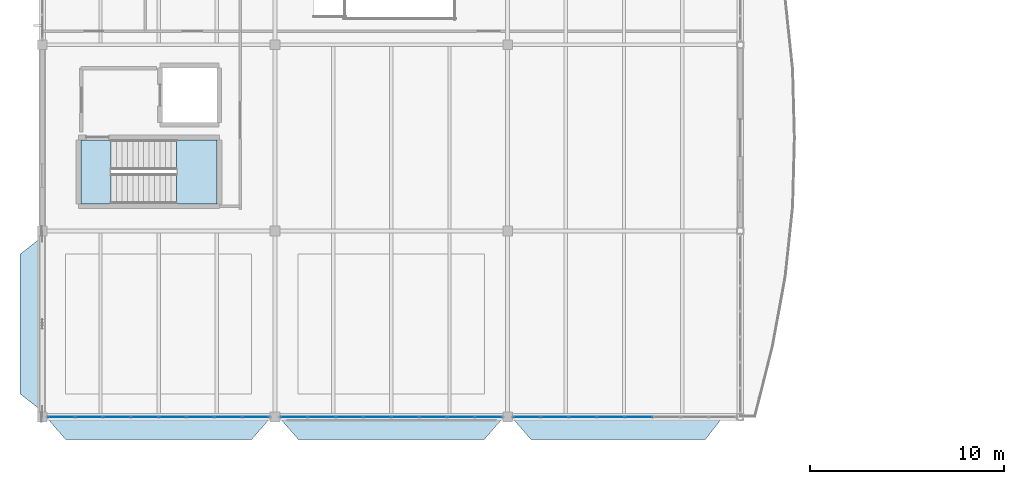
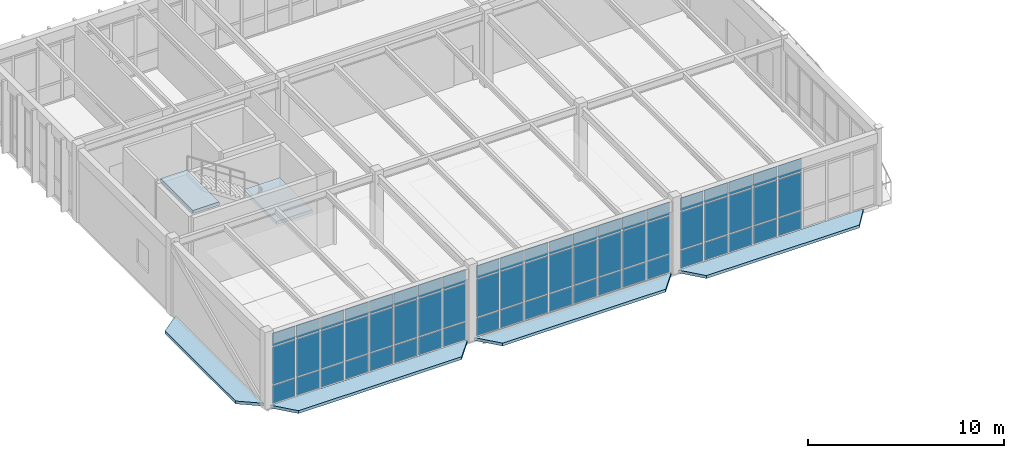
# One storey, part 186 of 236: 63 plates, 6 slabs, 4 elements without a shape of their own.
"""IFC4 building model written with IfcOpenShell, lengths in metres."""

from ifc_helpers import new_model, si_unit, direction, frame, origin, origin_2d, place, context, subcontext, project, spatial, polyline, rectangle, outline, extrude, material, layer, layer_set, type_object, element, aggregate, save


model = new_model("IFC4")

# Units and contexts
model_context = context("Model", 3, precision=1e-05, world=origin(), true_north=direction((0.0, 1.0)))
body_context = subcontext(model_context, "Body", "Model", "MODEL_VIEW")
ifc_project = project(units=[si_unit("LENGTHUNIT", "METRE"), si_unit("AREAUNIT", "SQUARE_METRE"), si_unit("VOLUMEUNIT", "CUBIC_METRE"), si_unit("PLANEANGLEUNIT", "RADIAN"), si_unit("MASSUNIT", "GRAM", prefix="KILO")], contexts=[model_context])

# Site, building, storey
site_placement = place(None, origin())
site = spatial("IfcSite", under=ifc_project, at=site_placement, CompositionType="ELEMENT")
building_placement = place(site_placement, origin())
building = spatial("IfcBuilding", under=site, at=building_placement, Name="Pandanus Reach Market Hall", CompositionType="ELEMENT")
storey_placement = place(building_placement, frame((0.0, 0.0, 5.39990234375)))
storey = spatial("IfcBuildingStorey", under=building, at=storey_placement, Name="L01", CompositionType="ELEMENT", Elevation=5.39990234375)

# Curtain wall, plates
ifc_material_1 = material(Name="Bronze anodised aluminium and low-E glass", Category="aluminium")
ifc_layer_1 = layer(ifc_material_1, 0.159912109375, Name="CW-15")
ifc_layer_set_1 = layer_set([ifc_layer_1], Name="Bronze anodised aluminium and low-E glass")
curtain_wall_type_1 = type_object("IfcCurtainWallType", Name="CW-15", PredefinedType="NOTDEFINED", material=ifc_layer_set_1)
curtain_wall_1_placement = place(storey_placement, origin())
curtain_wall_1 = element("IfcCurtainWall", 1, at=curtain_wall_1_placement, inside=storey, type_object=curtain_wall_type_1, Name="Glazed curtain wall CW-15 CW-0054", PredefinedType="NOTDEFINED")
ifc_material_2 = material(Name="Solar-control double glazing", Category="glass")
ifc_layer_2 = layer(ifc_material_2, 0.028076171875, Name="CW-P1")
ifc_layer_set_2 = layer_set([ifc_layer_2], Name="Solar-control double glazing")
plate_type = type_object("IfcPlateType", Name="CW-P1", PredefinedType="CURTAIN_PANEL", material=ifc_layer_set_2)
plate_1_placement = place(storey_placement, frame((0.985107421875, 0.0, 0.065185546875), z_axis=(0.0, 0.0, 1.0), x_axis=(1.0, 0.0, 0.0)))
plate_1 = element("IfcPlate", 2, at=plate_1_placement, type_object=plate_type, Name="CW-15 panel 1.1", PredefinedType="CURTAIN_PANEL", context=body_context, shape_type="SweptSolid", body=[
    extrude(rectangle(XDim=1.340087890625, YDim=0.028076171875, at=origin_2d()), origin(), (0.0, 0.0, 1.0), 1.1025390625),
])
plate_2_placement = place(storey_placement, frame((0.985107421875, 0.0, 1.232666015625), z_axis=(0.0, 0.0, 1.0), x_axis=(1.0, 0.0, 0.0)))
plate_2 = element("IfcPlate", 3, at=plate_2_placement, type_object=plate_type, Name="CW-15 panel 1.2", PredefinedType="CURTAIN_PANEL", context=body_context, shape_type="SweptSolid", body=[
    extrude(rectangle(XDim=1.340087890625, YDim=0.028076171875, at=origin_2d()), origin(), (0.0, 0.0, 1.0), 2.3349609375),
])
plate_3_placement = place(storey_placement, frame((0.985107421875, 0.0, 3.6328125), z_axis=(0.0, 0.0, 1.0), x_axis=(1.0, 0.0, 0.0)))
plate_3 = element("IfcPlate", 4, at=plate_3_placement, type_object=plate_type, Name="CW-15 panel 1.3", PredefinedType="CURTAIN_PANEL", context=body_context, shape_type="SweptSolid", body=[
    extrude(rectangle(XDim=1.340087890625, YDim=0.028076171875, at=origin_2d()), origin(), (0.0, 0.0, 1.0), 0.802490234375),
])
plate_4_placement = place(storey_placement, frame((2.40625, 0.0, 0.065185546875), z_axis=(0.0, 0.0, 1.0), x_axis=(1.0, 0.0, 0.0)))
plate_4 = element("IfcPlate", 5, at=plate_4_placement, type_object=plate_type, Name="CW-15 panel 2.1", PredefinedType="CURTAIN_PANEL", context=body_context, shape_type="SweptSolid", body=[
    extrude(rectangle(XDim=1.37255859375, YDim=0.028076171875, at=origin_2d()), origin(), (0.0, 0.0, 1.0), 1.1025390625),
])
plate_5_placement = place(storey_placement, frame((2.40625, 0.0, 1.232666015625), z_axis=(0.0, 0.0, 1.0), x_axis=(1.0, 0.0, 0.0)))
plate_5 = element("IfcPlate", 6, at=plate_5_placement, type_object=plate_type, Name="CW-15 panel 2.2", PredefinedType="CURTAIN_PANEL", context=body_context, shape_type="SweptSolid", body=[
    extrude(rectangle(XDim=1.37255859375, YDim=0.028076171875, at=origin_2d()), origin(), (0.0, 0.0, 1.0), 2.3349609375),
])
plate_6_placement = place(storey_placement, frame((2.40625, 0.0, 3.6328125), z_axis=(0.0, 0.0, 1.0), x_axis=(1.0, 0.0, 0.0)))
plate_6 = element("IfcPlate", 7, at=plate_6_placement, type_object=plate_type, Name="CW-15 panel 2.3", PredefinedType="CURTAIN_PANEL", context=body_context, shape_type="SweptSolid", body=[
    extrude(rectangle(XDim=1.37255859375, YDim=0.028076171875, at=origin_2d()), origin(), (0.0, 0.0, 1.0), 0.802490234375),
])
plate_7_placement = place(storey_placement, frame((3.84375, 0.0, 0.065185546875), z_axis=(0.0, 0.0, 1.0), x_axis=(1.0, 0.0, 0.0)))
plate_7 = element("IfcPlate", 8, at=plate_7_placement, type_object=plate_type, Name="CW-15 panel 3.1", PredefinedType="CURTAIN_PANEL", context=body_context, shape_type="SweptSolid", body=[
    extrude(rectangle(XDim=1.37255859375, YDim=0.028076171875, at=origin_2d()), origin(), (0.0, 0.0, 1.0), 1.1025390625),
])
plate_8_placement = place(storey_placement, frame((3.84375, 0.0, 1.232666015625), z_axis=(0.0, 0.0, 1.0), x_axis=(1.0, 0.0, 0.0)))
plate_8 = element("IfcPlate", 9, at=plate_8_placement, type_object=plate_type, Name="CW-15 panel 3.2", PredefinedType="CURTAIN_PANEL", context=body_context, shape_type="SweptSolid", body=[
    extrude(rectangle(XDim=1.37255859375, YDim=0.028076171875, at=origin_2d()), origin(), (0.0, 0.0, 1.0), 2.3349609375),
])
plate_9_placement = place(storey_placement, frame((3.84375, 0.0, 3.6328125), z_axis=(0.0, 0.0, 1.0), x_axis=(1.0, 0.0, 0.0)))
plate_9 = element("IfcPlate", 10, at=plate_9_placement, type_object=plate_type, Name="CW-15 panel 3.3", PredefinedType="CURTAIN_PANEL", context=body_context, shape_type="SweptSolid", body=[
    extrude(rectangle(XDim=1.37255859375, YDim=0.028076171875, at=origin_2d()), origin(), (0.0, 0.0, 1.0), 0.802490234375),
])
plate_10_placement = place(storey_placement, frame((5.28125, 0.0, 0.065185546875), z_axis=(0.0, 0.0, 1.0), x_axis=(1.0, 0.0, 0.0)))
plate_10 = element("IfcPlate", 11, at=plate_10_placement, type_object=plate_type, Name="CW-15 panel 4.1", PredefinedType="CURTAIN_PANEL", context=body_context, shape_type="SweptSolid", body=[
    extrude(rectangle(XDim=1.37255859375, YDim=0.028076171875, at=origin_2d()), origin(), (0.0, 0.0, 1.0), 1.1025390625),
])
plate_11_placement = place(storey_placement, frame((5.28125, 0.0, 1.232666015625), z_axis=(0.0, 0.0, 1.0), x_axis=(1.0, 0.0, 0.0)))
plate_11 = element("IfcPlate", 12, at=plate_11_placement, type_object=plate_type, Name="CW-15 panel 4.2", PredefinedType="CURTAIN_PANEL", context=body_context, shape_type="SweptSolid", body=[
    extrude(rectangle(XDim=1.37255859375, YDim=0.028076171875, at=origin_2d()), origin(), (0.0, 0.0, 1.0), 2.3349609375),
])
plate_12_placement = place(storey_placement, frame((5.28125, 0.0, 3.6328125), z_axis=(0.0, 0.0, 1.0), x_axis=(1.0, 0.0, 0.0)))
plate_12 = element("IfcPlate", 13, at=plate_12_placement, type_object=plate_type, Name="CW-15 panel 4.3", PredefinedType="CURTAIN_PANEL", context=body_context, shape_type="SweptSolid", body=[
    extrude(rectangle(XDim=1.37255859375, YDim=0.028076171875, at=origin_2d()), origin(), (0.0, 0.0, 1.0), 0.802490234375),
])
plate_13_placement = place(storey_placement, frame((6.71875, 0.0, 0.065185546875), z_axis=(0.0, 0.0, 1.0), x_axis=(1.0, 0.0, 0.0)))
plate_13 = element("IfcPlate", 14, at=plate_13_placement, type_object=plate_type, Name="CW-15 panel 5.1", PredefinedType="CURTAIN_PANEL", context=body_context, shape_type="SweptSolid", body=[
    extrude(rectangle(XDim=1.37255859375, YDim=0.028076171875, at=origin_2d()), origin(), (0.0, 0.0, 1.0), 1.1025390625),
])
plate_14_placement = place(storey_placement, frame((6.71875, 0.0, 1.232666015625), z_axis=(0.0, 0.0, 1.0), x_axis=(1.0, 0.0, 0.0)))
plate_14 = element("IfcPlate", 15, at=plate_14_placement, type_object=plate_type, Name="CW-15 panel 5.2", PredefinedType="CURTAIN_PANEL", context=body_context, shape_type="SweptSolid", body=[
    extrude(rectangle(XDim=1.37255859375, YDim=0.028076171875, at=origin_2d()), origin(), (0.0, 0.0, 1.0), 2.3349609375),
])
plate_15_placement = place(storey_placement, frame((6.71875, 0.0, 3.6328125), z_axis=(0.0, 0.0, 1.0), x_axis=(1.0, 0.0, 0.0)))
plate_15 = element("IfcPlate", 16, at=plate_15_placement, type_object=plate_type, Name="CW-15 panel 5.3", PredefinedType="CURTAIN_PANEL", context=body_context, shape_type="SweptSolid", body=[
    extrude(rectangle(XDim=1.37255859375, YDim=0.028076171875, at=origin_2d()), origin(), (0.0, 0.0, 1.0), 0.802490234375),
])
plate_16_placement = place(storey_placement, frame((8.15625, 0.0, 0.065185546875), z_axis=(0.0, 0.0, 1.0), x_axis=(1.0, 0.0, 0.0)))
plate_16 = element("IfcPlate", 17, at=plate_16_placement, type_object=plate_type, Name="CW-15 panel 6.1", PredefinedType="CURTAIN_PANEL", context=body_context, shape_type="SweptSolid", body=[
    extrude(rectangle(XDim=1.37255859375, YDim=0.028076171875, at=origin_2d()), origin(), (0.0, 0.0, 1.0), 1.1025390625),
])
plate_17_placement = place(storey_placement, frame((8.15625, 0.0, 1.232666015625), z_axis=(0.0, 0.0, 1.0), x_axis=(1.0, 0.0, 0.0)))
plate_17 = element("IfcPlate", 18, at=plate_17_placement, type_object=plate_type, Name="CW-15 panel 6.2", PredefinedType="CURTAIN_PANEL", context=body_context, shape_type="SweptSolid", body=[
    extrude(rectangle(XDim=1.37255859375, YDim=0.028076171875, at=origin_2d()), origin(), (0.0, 0.0, 1.0), 2.3349609375),
])
plate_18_placement = place(storey_placement, frame((8.15625, 0.0, 3.6328125), z_axis=(0.0, 0.0, 1.0), x_axis=(1.0, 0.0, 0.0)))
plate_18 = element("IfcPlate", 19, at=plate_18_placement, type_object=plate_type, Name="CW-15 panel 6.3", PredefinedType="CURTAIN_PANEL", context=body_context, shape_type="SweptSolid", body=[
    extrude(rectangle(XDim=1.37255859375, YDim=0.028076171875, at=origin_2d()), origin(), (0.0, 0.0, 1.0), 0.802490234375),
])
plate_19_placement = place(storey_placement, frame((9.59375, 0.0, 0.065185546875), z_axis=(0.0, 0.0, 1.0), x_axis=(1.0, 0.0, 0.0)))
plate_19 = element("IfcPlate", 20, at=plate_19_placement, type_object=plate_type, Name="CW-15 panel 7.1", PredefinedType="CURTAIN_PANEL", context=body_context, shape_type="SweptSolid", body=[
    extrude(rectangle(XDim=1.37255859375, YDim=0.028076171875, at=origin_2d()), origin(), (0.0, 0.0, 1.0), 1.1025390625),
])
plate_20_placement = place(storey_placement, frame((9.59375, 0.0, 1.232666015625), z_axis=(0.0, 0.0, 1.0), x_axis=(1.0, 0.0, 0.0)))
plate_20 = element("IfcPlate", 21, at=plate_20_placement, type_object=plate_type, Name="CW-15 panel 7.2", PredefinedType="CURTAIN_PANEL", context=body_context, shape_type="SweptSolid", body=[
    extrude(rectangle(XDim=1.37255859375, YDim=0.028076171875, at=origin_2d()), origin(), (0.0, 0.0, 1.0), 2.3349609375),
])
plate_21_placement = place(storey_placement, frame((9.59375, 0.0, 3.6328125), z_axis=(0.0, 0.0, 1.0), x_axis=(1.0, 0.0, 0.0)))
plate_21 = element("IfcPlate", 22, at=plate_21_placement, type_object=plate_type, Name="CW-15 panel 7.3", PredefinedType="CURTAIN_PANEL", context=body_context, shape_type="SweptSolid", body=[
    extrude(rectangle(XDim=1.37255859375, YDim=0.028076171875, at=origin_2d()), origin(), (0.0, 0.0, 1.0), 0.802490234375),
])
plate_22_placement = place(storey_placement, frame((11.014892578125, 0.0, 0.065185546875), z_axis=(0.0, 0.0, 1.0), x_axis=(1.0, 0.0, 0.0)))
plate_22 = element("IfcPlate", 23, at=plate_22_placement, type_object=plate_type, Name="CW-15 panel 8.1", PredefinedType="CURTAIN_PANEL", context=body_context, shape_type="SweptSolid", body=[
    extrude(rectangle(XDim=1.340087890625, YDim=0.028076171875, at=origin_2d()), origin(), (0.0, 0.0, 1.0), 1.1025390625),
])
plate_23_placement = place(storey_placement, frame((11.014892578125, 0.0, 1.232666015625), z_axis=(0.0, 0.0, 1.0), x_axis=(1.0, 0.0, 0.0)))
plate_23 = element("IfcPlate", 24, at=plate_23_placement, type_object=plate_type, Name="CW-15 panel 8.2", PredefinedType="CURTAIN_PANEL", context=body_context, shape_type="SweptSolid", body=[
    extrude(rectangle(XDim=1.340087890625, YDim=0.028076171875, at=origin_2d()), origin(), (0.0, 0.0, 1.0), 2.3349609375),
])
plate_24_placement = place(storey_placement, frame((11.014892578125, 0.0, 3.6328125), z_axis=(0.0, 0.0, 1.0), x_axis=(1.0, 0.0, 0.0)))
plate_24 = element("IfcPlate", 25, at=plate_24_placement, type_object=plate_type, Name="CW-15 panel 8.3", PredefinedType="CURTAIN_PANEL", context=body_context, shape_type="SweptSolid", body=[
    extrude(rectangle(XDim=1.340087890625, YDim=0.028076171875, at=origin_2d()), origin(), (0.0, 0.0, 1.0), 0.802490234375),
])
aggregate(curtain_wall_1, [plate_1, plate_2, plate_3, plate_4, plate_5, plate_6, plate_7, plate_8, plate_9, plate_10, plate_11, plate_12, plate_13, plate_14, plate_15, plate_16, plate_17, plate_18, plate_19, plate_20, plate_21, plate_22, plate_23, plate_24])

curtain_wall_2_placement = place(storey_placement, origin())
curtain_wall_2 = element("IfcCurtainWall", 26, at=curtain_wall_2_placement, inside=storey, type_object=curtain_wall_type_1, Name="Glazed curtain wall CW-15 CW-0055", PredefinedType="NOTDEFINED")
plate_25_placement = place(storey_placement, frame((12.985107421875, 0.0, 0.065185546875), z_axis=(0.0, 0.0, 1.0), x_axis=(1.0, 0.0, 0.0)))
plate_25 = element("IfcPlate", 27, at=plate_25_placement, type_object=plate_type, Name="CW-15 panel 1.1", PredefinedType="CURTAIN_PANEL", context=body_context, shape_type="SweptSolid", body=[
    extrude(rectangle(XDim=1.340087890625, YDim=0.028076171875, at=origin_2d()), origin(), (0.0, 0.0, 1.0), 1.1025390625),
])
plate_26_placement = place(storey_placement, frame((12.985107421875, 0.0, 1.232666015625), z_axis=(0.0, 0.0, 1.0), x_axis=(1.0, 0.0, 0.0)))
plate_26 = element("IfcPlate", 28, at=plate_26_placement, type_object=plate_type, Name="CW-15 panel 1.2", PredefinedType="CURTAIN_PANEL", context=body_context, shape_type="SweptSolid", body=[
    extrude(rectangle(XDim=1.340087890625, YDim=0.028076171875, at=origin_2d()), origin(), (0.0, 0.0, 1.0), 2.3349609375),
])
plate_27_placement = place(storey_placement, frame((12.985107421875, 0.0, 3.6328125), z_axis=(0.0, 0.0, 1.0), x_axis=(1.0, 0.0, 0.0)))
plate_27 = element("IfcPlate", 29, at=plate_27_placement, type_object=plate_type, Name="CW-15 panel 1.3", PredefinedType="CURTAIN_PANEL", context=body_context, shape_type="SweptSolid", body=[
    extrude(rectangle(XDim=1.340087890625, YDim=0.028076171875, at=origin_2d()), origin(), (0.0, 0.0, 1.0), 0.802490234375),
])
plate_28_placement = place(storey_placement, frame((14.40625, 0.0, 0.065185546875), z_axis=(0.0, 0.0, 1.0), x_axis=(1.0, 0.0, 0.0)))
plate_28 = element("IfcPlate", 30, at=plate_28_placement, type_object=plate_type, Name="CW-15 panel 2.1", PredefinedType="CURTAIN_PANEL", context=body_context, shape_type="SweptSolid", body=[
    extrude(rectangle(XDim=1.37255859375, YDim=0.028076171875, at=origin_2d()), origin(), (0.0, 0.0, 1.0), 1.1025390625),
])
plate_29_placement = place(storey_placement, frame((14.40625, 0.0, 1.232666015625), z_axis=(0.0, 0.0, 1.0), x_axis=(1.0, 0.0, 0.0)))
plate_29 = element("IfcPlate", 31, at=plate_29_placement, type_object=plate_type, Name="CW-15 panel 2.2", PredefinedType="CURTAIN_PANEL", context=body_context, shape_type="SweptSolid", body=[
    extrude(rectangle(XDim=1.37255859375, YDim=0.028076171875, at=origin_2d()), origin(), (0.0, 0.0, 1.0), 2.3349609375),
])
plate_30_placement = place(storey_placement, frame((14.40625, 0.0, 3.6328125), z_axis=(0.0, 0.0, 1.0), x_axis=(1.0, 0.0, 0.0)))
plate_30 = element("IfcPlate", 32, at=plate_30_placement, type_object=plate_type, Name="CW-15 panel 2.3", PredefinedType="CURTAIN_PANEL", context=body_context, shape_type="SweptSolid", body=[
    extrude(rectangle(XDim=1.37255859375, YDim=0.028076171875, at=origin_2d()), origin(), (0.0, 0.0, 1.0), 0.802490234375),
])
plate_31_placement = place(storey_placement, frame((15.84375, 0.0, 0.065185546875), z_axis=(0.0, 0.0, 1.0), x_axis=(1.0, 0.0, 0.0)))
plate_31 = element("IfcPlate", 33, at=plate_31_placement, type_object=plate_type, Name="CW-15 panel 3.1", PredefinedType="CURTAIN_PANEL", context=body_context, shape_type="SweptSolid", body=[
    extrude(rectangle(XDim=1.37255859375, YDim=0.028076171875, at=origin_2d()), origin(), (0.0, 0.0, 1.0), 1.1025390625),
])
plate_32_placement = place(storey_placement, frame((15.84375, 0.0, 1.232666015625), z_axis=(0.0, 0.0, 1.0), x_axis=(1.0, 0.0, 0.0)))
plate_32 = element("IfcPlate", 34, at=plate_32_placement, type_object=plate_type, Name="CW-15 panel 3.2", PredefinedType="CURTAIN_PANEL", context=body_context, shape_type="SweptSolid", body=[
    extrude(rectangle(XDim=1.37255859375, YDim=0.028076171875, at=origin_2d()), origin(), (0.0, 0.0, 1.0), 2.3349609375),
])
plate_33_placement = place(storey_placement, frame((15.84375, 0.0, 3.6328125), z_axis=(0.0, 0.0, 1.0), x_axis=(1.0, 0.0, 0.0)))
plate_33 = element("IfcPlate", 35, at=plate_33_placement, type_object=plate_type, Name="CW-15 panel 3.3", PredefinedType="CURTAIN_PANEL", context=body_context, shape_type="SweptSolid", body=[
    extrude(rectangle(XDim=1.37255859375, YDim=0.028076171875, at=origin_2d()), origin(), (0.0, 0.0, 1.0), 0.802490234375),
])
plate_34_placement = place(storey_placement, frame((17.28125, 0.0, 0.065185546875), z_axis=(0.0, 0.0, 1.0), x_axis=(1.0, 0.0, 0.0)))
plate_34 = element("IfcPlate", 36, at=plate_34_placement, type_object=plate_type, Name="CW-15 panel 4.1", PredefinedType="CURTAIN_PANEL", context=body_context, shape_type="SweptSolid", body=[
    extrude(rectangle(XDim=1.37255859375, YDim=0.028076171875, at=origin_2d()), origin(), (0.0, 0.0, 1.0), 1.1025390625),
])
plate_35_placement = place(storey_placement, frame((17.28125, 0.0, 1.232666015625), z_axis=(0.0, 0.0, 1.0), x_axis=(1.0, 0.0, 0.0)))
plate_35 = element("IfcPlate", 37, at=plate_35_placement, type_object=plate_type, Name="CW-15 panel 4.2", PredefinedType="CURTAIN_PANEL", context=body_context, shape_type="SweptSolid", body=[
    extrude(rectangle(XDim=1.37255859375, YDim=0.028076171875, at=origin_2d()), origin(), (0.0, 0.0, 1.0), 2.3349609375),
])
plate_36_placement = place(storey_placement, frame((17.28125, 0.0, 3.6328125), z_axis=(0.0, 0.0, 1.0), x_axis=(1.0, 0.0, 0.0)))
plate_36 = element("IfcPlate", 38, at=plate_36_placement, type_object=plate_type, Name="CW-15 panel 4.3", PredefinedType="CURTAIN_PANEL", context=body_context, shape_type="SweptSolid", body=[
    extrude(rectangle(XDim=1.37255859375, YDim=0.028076171875, at=origin_2d()), origin(), (0.0, 0.0, 1.0), 0.802490234375),
])
plate_37_placement = place(storey_placement, frame((18.71875, 0.0, 0.065185546875), z_axis=(0.0, 0.0, 1.0), x_axis=(1.0, 0.0, 0.0)))
plate_37 = element("IfcPlate", 39, at=plate_37_placement, type_object=plate_type, Name="CW-15 panel 5.1", PredefinedType="CURTAIN_PANEL", context=body_context, shape_type="SweptSolid", body=[
    extrude(rectangle(XDim=1.37255859375, YDim=0.028076171875, at=origin_2d()), origin(), (0.0, 0.0, 1.0), 1.1025390625),
])
plate_38_placement = place(storey_placement, frame((18.71875, 0.0, 1.232666015625), z_axis=(0.0, 0.0, 1.0), x_axis=(1.0, 0.0, 0.0)))
plate_38 = element("IfcPlate", 40, at=plate_38_placement, type_object=plate_type, Name="CW-15 panel 5.2", PredefinedType="CURTAIN_PANEL", context=body_context, shape_type="SweptSolid", body=[
    extrude(rectangle(XDim=1.37255859375, YDim=0.028076171875, at=origin_2d()), origin(), (0.0, 0.0, 1.0), 2.3349609375),
])
plate_39_placement = place(storey_placement, frame((18.71875, 0.0, 3.6328125), z_axis=(0.0, 0.0, 1.0), x_axis=(1.0, 0.0, 0.0)))
plate_39 = element("IfcPlate", 41, at=plate_39_placement, type_object=plate_type, Name="CW-15 panel 5.3", PredefinedType="CURTAIN_PANEL", context=body_context, shape_type="SweptSolid", body=[
    extrude(rectangle(XDim=1.37255859375, YDim=0.028076171875, at=origin_2d()), origin(), (0.0, 0.0, 1.0), 0.802490234375),
])
plate_40_placement = place(storey_placement, frame((20.15625, 0.0, 0.065185546875), z_axis=(0.0, 0.0, 1.0), x_axis=(1.0, 0.0, 0.0)))
plate_40 = element("IfcPlate", 42, at=plate_40_placement, type_object=plate_type, Name="CW-15 panel 6.1", PredefinedType="CURTAIN_PANEL", context=body_context, shape_type="SweptSolid", body=[
    extrude(rectangle(XDim=1.37255859375, YDim=0.028076171875, at=origin_2d()), origin(), (0.0, 0.0, 1.0), 1.1025390625),
])
plate_41_placement = place(storey_placement, frame((20.15625, 0.0, 1.232666015625), z_axis=(0.0, 0.0, 1.0), x_axis=(1.0, 0.0, 0.0)))
plate_41 = element("IfcPlate", 43, at=plate_41_placement, type_object=plate_type, Name="CW-15 panel 6.2", PredefinedType="CURTAIN_PANEL", context=body_context, shape_type="SweptSolid", body=[
    extrude(rectangle(XDim=1.37255859375, YDim=0.028076171875, at=origin_2d()), origin(), (0.0, 0.0, 1.0), 2.3349609375),
])
plate_42_placement = place(storey_placement, frame((20.15625, 0.0, 3.6328125), z_axis=(0.0, 0.0, 1.0), x_axis=(1.0, 0.0, 0.0)))
plate_42 = element("IfcPlate", 44, at=plate_42_placement, type_object=plate_type, Name="CW-15 panel 6.3", PredefinedType="CURTAIN_PANEL", context=body_context, shape_type="SweptSolid", body=[
    extrude(rectangle(XDim=1.37255859375, YDim=0.028076171875, at=origin_2d()), origin(), (0.0, 0.0, 1.0), 0.802490234375),
])
plate_43_placement = place(storey_placement, frame((21.59375, 0.0, 0.065185546875), z_axis=(0.0, 0.0, 1.0), x_axis=(1.0, 0.0, 0.0)))
plate_43 = element("IfcPlate", 45, at=plate_43_placement, type_object=plate_type, Name="CW-15 panel 7.1", PredefinedType="CURTAIN_PANEL", context=body_context, shape_type="SweptSolid", body=[
    extrude(rectangle(XDim=1.37255859375, YDim=0.028076171875, at=origin_2d()), origin(), (0.0, 0.0, 1.0), 1.1025390625),
])
plate_44_placement = place(storey_placement, frame((21.59375, 0.0, 1.232666015625), z_axis=(0.0, 0.0, 1.0), x_axis=(1.0, 0.0, 0.0)))
plate_44 = element("IfcPlate", 46, at=plate_44_placement, type_object=plate_type, Name="CW-15 panel 7.2", PredefinedType="CURTAIN_PANEL", context=body_context, shape_type="SweptSolid", body=[
    extrude(rectangle(XDim=1.37255859375, YDim=0.028076171875, at=origin_2d()), origin(), (0.0, 0.0, 1.0), 2.3349609375),
])
plate_45_placement = place(storey_placement, frame((21.59375, 0.0, 3.6328125), z_axis=(0.0, 0.0, 1.0), x_axis=(1.0, 0.0, 0.0)))
plate_45 = element("IfcPlate", 47, at=plate_45_placement, type_object=plate_type, Name="CW-15 panel 7.3", PredefinedType="CURTAIN_PANEL", context=body_context, shape_type="SweptSolid", body=[
    extrude(rectangle(XDim=1.37255859375, YDim=0.028076171875, at=origin_2d()), origin(), (0.0, 0.0, 1.0), 0.802490234375),
])
plate_46_placement = place(storey_placement, frame((23.014892578125, 0.0, 0.065185546875), z_axis=(0.0, 0.0, 1.0), x_axis=(1.0, 0.0, 0.0)))
plate_46 = element("IfcPlate", 48, at=plate_46_placement, type_object=plate_type, Name="CW-15 panel 8.1", PredefinedType="CURTAIN_PANEL", context=body_context, shape_type="SweptSolid", body=[
    extrude(rectangle(XDim=1.340087890625, YDim=0.028076171875, at=origin_2d()), origin(), (0.0, 0.0, 1.0), 1.1025390625),
])
plate_47_placement = place(storey_placement, frame((23.014892578125, 0.0, 1.232666015625), z_axis=(0.0, 0.0, 1.0), x_axis=(1.0, 0.0, 0.0)))
plate_47 = element("IfcPlate", 49, at=plate_47_placement, type_object=plate_type, Name="CW-15 panel 8.2", PredefinedType="CURTAIN_PANEL", context=body_context, shape_type="SweptSolid", body=[
    extrude(rectangle(XDim=1.340087890625, YDim=0.028076171875, at=origin_2d()), origin(), (0.0, 0.0, 1.0), 2.3349609375),
])
plate_48_placement = place(storey_placement, frame((23.014892578125, 0.0, 3.6328125), z_axis=(0.0, 0.0, 1.0), x_axis=(1.0, 0.0, 0.0)))
plate_48 = element("IfcPlate", 50, at=plate_48_placement, type_object=plate_type, Name="CW-15 panel 8.3", PredefinedType="CURTAIN_PANEL", context=body_context, shape_type="SweptSolid", body=[
    extrude(rectangle(XDim=1.340087890625, YDim=0.028076171875, at=origin_2d()), origin(), (0.0, 0.0, 1.0), 0.802490234375),
])
aggregate(curtain_wall_2, [plate_25, plate_26, plate_27, plate_28, plate_29, plate_30, plate_31, plate_32, plate_33, plate_34, plate_35, plate_36, plate_37, plate_38, plate_39, plate_40, plate_41, plate_42, plate_43, plate_44, plate_45, plate_46, plate_47, plate_48])

ifc_layer_3 = layer(ifc_material_1, 0.159912109375, Name="CW-16")
ifc_layer_set_3 = layer_set([ifc_layer_3], Name="Bronze anodised aluminium and low-E glass")
curtain_wall_type_2 = type_object("IfcCurtainWallType", Name="CW-16", PredefinedType="NOTDEFINED", material=ifc_layer_set_3)
curtain_wall_3_placement = place(storey_placement, origin())
curtain_wall_3 = element("IfcCurtainWall", 51, at=curtain_wall_3_placement, inside=storey, type_object=curtain_wall_type_2, Name="Glazed curtain wall CW-16 CW-0056", PredefinedType="NOTDEFINED")
plate_49_placement = place(storey_placement, frame((24.989501953125, 0.0, 0.065185546875), z_axis=(0.0, 0.0, 1.0), x_axis=(1.0, 0.0, 0.0)))
plate_49 = element("IfcPlate", 52, at=plate_49_placement, type_object=plate_type, Name="CW-16 panel 1.1", PredefinedType="CURTAIN_PANEL", context=body_context, shape_type="SweptSolid", body=[
    extrude(rectangle(XDim=1.34912109375, YDim=0.028076171875, at=origin_2d()), origin(), (0.0, 0.0, 1.0), 1.1025390625),
])
plate_50_placement = place(storey_placement, frame((24.989501953125, 0.0, 1.232666015625), z_axis=(0.0, 0.0, 1.0), x_axis=(1.0, 0.0, 0.0)))
plate_50 = element("IfcPlate", 53, at=plate_50_placement, type_object=plate_type, Name="CW-16 panel 1.2", PredefinedType="CURTAIN_PANEL", context=body_context, shape_type="SweptSolid", body=[
    extrude(rectangle(XDim=1.34912109375, YDim=0.028076171875, at=origin_2d()), origin(), (0.0, 0.0, 1.0), 2.3349609375),
])
plate_51_placement = place(storey_placement, frame((24.989501953125, 0.0, 3.6328125), z_axis=(0.0, 0.0, 1.0), x_axis=(1.0, 0.0, 0.0)))
plate_51 = element("IfcPlate", 54, at=plate_51_placement, type_object=plate_type, Name="CW-16 panel 1.3", PredefinedType="CURTAIN_PANEL", context=body_context, shape_type="SweptSolid", body=[
    extrude(rectangle(XDim=1.34912109375, YDim=0.028076171875, at=origin_2d()), origin(), (0.0, 0.0, 1.0), 0.802490234375),
])
plate_52_placement = place(storey_placement, frame((26.419677734375, 0.0, 0.065185546875), z_axis=(0.0, 0.0, 1.0), x_axis=(1.0, 0.0, 0.0)))
plate_52 = element("IfcPlate", 55, at=plate_52_placement, type_object=plate_type, Name="CW-16 panel 2.1", PredefinedType="CURTAIN_PANEL", context=body_context, shape_type="SweptSolid", body=[
    extrude(rectangle(XDim=1.381591796875, YDim=0.028076171875, at=origin_2d()), origin(), (0.0, 0.0, 1.0), 1.1025390625),
])
plate_53_placement = place(storey_placement, frame((26.419677734375, 0.0, 1.232666015625), z_axis=(0.0, 0.0, 1.0), x_axis=(1.0, 0.0, 0.0)))
plate_53 = element("IfcPlate", 56, at=plate_53_placement, type_object=plate_type, Name="CW-16 panel 2.2", PredefinedType="CURTAIN_PANEL", context=body_context, shape_type="SweptSolid", body=[
    extrude(rectangle(XDim=1.381591796875, YDim=0.028076171875, at=origin_2d()), origin(), (0.0, 0.0, 1.0), 2.3349609375),
])
plate_54_placement = place(storey_placement, frame((26.419677734375, 0.0, 3.6328125), z_axis=(0.0, 0.0, 1.0), x_axis=(1.0, 0.0, 0.0)))
plate_54 = element("IfcPlate", 57, at=plate_54_placement, type_object=plate_type, Name="CW-16 panel 2.3", PredefinedType="CURTAIN_PANEL", context=body_context, shape_type="SweptSolid", body=[
    extrude(rectangle(XDim=1.381591796875, YDim=0.028076171875, at=origin_2d()), origin(), (0.0, 0.0, 1.0), 0.802490234375),
])
plate_55_placement = place(storey_placement, frame((27.8662109375, 0.0, 0.065185546875), z_axis=(0.0, 0.0, 1.0), x_axis=(1.0, 0.0, 0.0)))
plate_55 = element("IfcPlate", 58, at=plate_55_placement, type_object=plate_type, Name="CW-16 panel 3.1", PredefinedType="CURTAIN_PANEL", context=body_context, shape_type="SweptSolid", body=[
    extrude(rectangle(XDim=1.381591796875, YDim=0.028076171875, at=origin_2d()), origin(), (0.0, 0.0, 1.0), 1.1025390625),
])
plate_56_placement = place(storey_placement, frame((27.8662109375, 0.0, 1.232666015625), z_axis=(0.0, 0.0, 1.0), x_axis=(1.0, 0.0, 0.0)))
plate_56 = element("IfcPlate", 59, at=plate_56_placement, type_object=plate_type, Name="CW-16 panel 3.2", PredefinedType="CURTAIN_PANEL", context=body_context, shape_type="SweptSolid", body=[
    extrude(rectangle(XDim=1.381591796875, YDim=0.028076171875, at=origin_2d()), origin(), (0.0, 0.0, 1.0), 2.3349609375),
])
plate_57_placement = place(storey_placement, frame((27.8662109375, 0.0, 3.6328125), z_axis=(0.0, 0.0, 1.0), x_axis=(1.0, 0.0, 0.0)))
plate_57 = element("IfcPlate", 60, at=plate_57_placement, type_object=plate_type, Name="CW-16 panel 3.3", PredefinedType="CURTAIN_PANEL", context=body_context, shape_type="SweptSolid", body=[
    extrude(rectangle(XDim=1.381591796875, YDim=0.028076171875, at=origin_2d()), origin(), (0.0, 0.0, 1.0), 0.802490234375),
])
plate_58_placement = place(storey_placement, frame((29.312744140625, 0.0, 0.065185546875), z_axis=(0.0, 0.0, 1.0), x_axis=(1.0, 0.0, 0.0)))
plate_58 = element("IfcPlate", 61, at=plate_58_placement, type_object=plate_type, Name="CW-16 panel 4.1", PredefinedType="CURTAIN_PANEL", context=body_context, shape_type="SweptSolid", body=[
    extrude(rectangle(XDim=1.381591796875, YDim=0.028076171875, at=origin_2d()), origin(), (0.0, 0.0, 1.0), 1.1025390625),
])
plate_59_placement = place(storey_placement, frame((29.312744140625, 0.0, 1.232666015625), z_axis=(0.0, 0.0, 1.0), x_axis=(1.0, 0.0, 0.0)))
plate_59 = element("IfcPlate", 62, at=plate_59_placement, type_object=plate_type, Name="CW-16 panel 4.2", PredefinedType="CURTAIN_PANEL", context=body_context, shape_type="SweptSolid", body=[
    extrude(rectangle(XDim=1.381591796875, YDim=0.028076171875, at=origin_2d()), origin(), (0.0, 0.0, 1.0), 2.3349609375),
])
plate_60_placement = place(storey_placement, frame((29.312744140625, 0.0, 3.6328125), z_axis=(0.0, 0.0, 1.0), x_axis=(1.0, 0.0, 0.0)))
plate_60 = element("IfcPlate", 63, at=plate_60_placement, type_object=plate_type, Name="CW-16 panel 4.3", PredefinedType="CURTAIN_PANEL", context=body_context, shape_type="SweptSolid", body=[
    extrude(rectangle(XDim=1.381591796875, YDim=0.028076171875, at=origin_2d()), origin(), (0.0, 0.0, 1.0), 0.802490234375),
])
plate_61_placement = place(storey_placement, frame((30.75927734375, 0.0, 0.065185546875), z_axis=(0.0, 0.0, 1.0), x_axis=(1.0, 0.0, 0.0)))
plate_61 = element("IfcPlate", 64, at=plate_61_placement, type_object=plate_type, Name="CW-16 panel 5.1", PredefinedType="CURTAIN_PANEL", context=body_context, shape_type="SweptSolid", body=[
    extrude(rectangle(XDim=1.381591796875, YDim=0.028076171875, at=origin_2d()), origin(), (0.0, 0.0, 1.0), 1.1025390625),
])
plate_62_placement = place(storey_placement, frame((30.75927734375, 0.0, 1.232666015625), z_axis=(0.0, 0.0, 1.0), x_axis=(1.0, 0.0, 0.0)))
plate_62 = element("IfcPlate", 65, at=plate_62_placement, type_object=plate_type, Name="CW-16 panel 5.2", PredefinedType="CURTAIN_PANEL", context=body_context, shape_type="SweptSolid", body=[
    extrude(rectangle(XDim=1.381591796875, YDim=0.028076171875, at=origin_2d()), origin(), (0.0, 0.0, 1.0), 2.3349609375),
])
plate_63_placement = place(storey_placement, frame((30.75927734375, 0.0, 3.6328125), z_axis=(0.0, 0.0, 1.0), x_axis=(1.0, 0.0, 0.0)))
plate_63 = element("IfcPlate", 66, at=plate_63_placement, type_object=plate_type, Name="CW-16 panel 5.3", PredefinedType="CURTAIN_PANEL", context=body_context, shape_type="SweptSolid", body=[
    extrude(rectangle(XDim=1.381591796875, YDim=0.028076171875, at=origin_2d()), origin(), (0.0, 0.0, 1.0), 0.802490234375),
])
aggregate(curtain_wall_3, [plate_49, plate_50, plate_51, plate_52, plate_53, plate_54, plate_55, plate_56, plate_57, plate_58, plate_59, plate_60, plate_61, plate_62, plate_63])

# Slabs
ifc_material_3 = material(Name="Concrete N50 (50 MPa)", Category="concrete")
ifc_layer_4 = layer(ifc_material_3, 0.179931640625, Name="RF-CNP-180")
ifc_layer_set_4 = layer_set([ifc_layer_4], Name="Concrete N50 (50 MPa)")
slab_type_1 = type_object("IfcSlabType", Name="RF-CNP-180", PredefinedType="ROOF", material=ifc_layer_set_4)
slab_1_placement = place(storey_placement, frame((0.0, 0.0, -0.179931640625)))
element("IfcSlab", 67, at=slab_1_placement, inside=storey, type_object=slab_type_1, Name="Sculpted concrete brise-soleil hood 1", PredefinedType="ROOF", context=body_context, shape_type="SweptSolid", body=[
    extrude(outline(polyline([(0.199951171875, 0.0), (11.800048828125, 0.0), (10.800048828125, -1.14990234375), (1.199951171875, -1.14990234375), (0.199951171875, 0.0)])), origin(), (0.0, 0.0, 1.0), 0.179931640625),
])
slab_2_placement = place(storey_placement, frame((0.0, 0.0, -0.179931640625)))
element("IfcSlab", 68, at=slab_2_placement, inside=storey, type_object=slab_type_1, Name="Sculpted concrete brise-soleil hood 2", PredefinedType="ROOF", context=body_context, shape_type="SweptSolid", body=[
    extrude(outline(polyline([(12.199951171875, 0.0), (23.800048828125, 0.0), (22.800048828125, -1.14990234375), (13.199951171875, -1.14990234375), (12.199951171875, 0.0)])), origin(), (0.0, 0.0, 1.0), 0.179931640625),
])
slab_3_placement = place(storey_placement, frame((0.0, 0.0, -0.179931640625)))
element("IfcSlab", 69, at=slab_3_placement, inside=storey, type_object=slab_type_1, Name="Sculpted concrete brise-soleil hood 3", PredefinedType="ROOF", context=body_context, shape_type="SweptSolid", body=[
    extrude(outline(polyline([(24.199951171875, 0.0), (35.10009765625, 0.0), (34.199951171875, -1.14990234375), (25.199951171875, -1.14990234375), (24.199951171875, 0.0)])), origin(), (0.0, 0.0, 1.0), 0.179931640625),
])
slab_4_placement = place(storey_placement, frame((0.0, 0.0, -0.179931640625)))
element("IfcSlab", 70, at=slab_4_placement, inside=storey, type_object=slab_type_1, Name="Sculpted concrete brise-soleil hood 6", PredefinedType="ROOF", context=body_context, shape_type="SweptSolid", body=[
    extrude(outline(polyline([(0.0, 0.300048828125), (0.0, 9.300048828125), (-1.14990234375, 8.39990234375), (-1.14990234375, 1.199951171875), (0.0, 0.300048828125)])), origin(), (0.0, 0.0, 1.0), 0.179931640625),
])

# Stair, slabs
ifc_material_4 = material(Name="Concrete N40 (40 MPa)", Category="concrete")
stair_type = type_object("IfcStairType", Name="STR-06", PredefinedType="HALF_TURN_STAIR", material=ifc_material_4)
stair_placement = place(storey_placement, origin())
stair = element("IfcStair", 71, at=stair_placement, inside=storey, type_object=stair_type, Name="Stair ST-04 L01", PredefinedType="HALF_TURN_STAIR")
ifc_layer_5 = layer(ifc_material_4, 0.199951171875, Name="SL-LND-200")
ifc_layer_set_5 = layer_set([ifc_layer_5], Name="Concrete N40 (40 MPa)")
slab_type_2 = type_object("IfcSlabType", Name="SL-LND-200", PredefinedType="LANDING", material=ifc_layer_set_5)
slab_5_placement = place(storey_placement, frame((0.0, 0.0, 2.2001953125)))
slab_5 = element("IfcSlab", 72, at=slab_5_placement, type_object=slab_type_2, Name="STR-06 landing 1", PredefinedType="LANDING", context=body_context, shape_type="SweptSolid", body=[
    extrude(outline(polyline([(6.909912109375, 11.0), (9.02001953125, 11.0), (9.02001953125, 14.300048828125), (6.909912109375, 14.300048828125), (6.909912109375, 11.0)])), origin(), (0.0, 0.0, 1.0), 0.199951171875),
])
slab_6_placement = place(storey_placement, frame((0.0, 0.0, 4.60009765625)))
slab_6 = element("IfcSlab", 73, at=slab_6_placement, type_object=slab_type_2, Name="STR-06 landing 2", PredefinedType="LANDING", context=body_context, shape_type="SweptSolid", body=[
    extrude(outline(polyline([(2.0, 11.0), (3.550048828125, 11.0), (3.550048828125, 14.300048828125), (2.0, 14.300048828125), (2.0, 11.0)])), origin(), (0.0, 0.0, 1.0), 0.199951171875),
])
aggregate(stair, [slab_5, slab_6])

save(model, "model.ifc")
